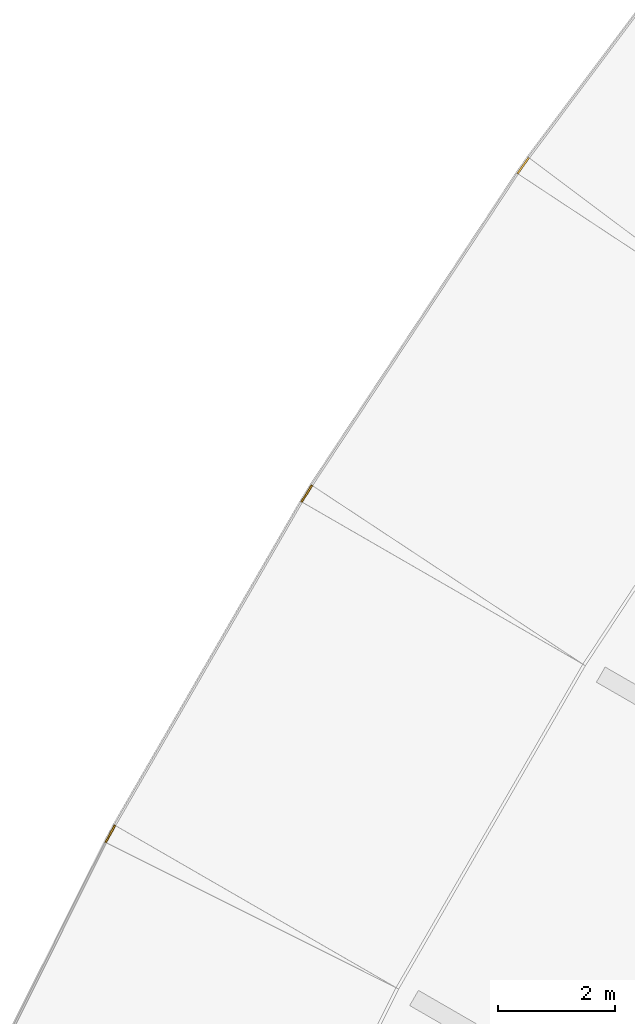
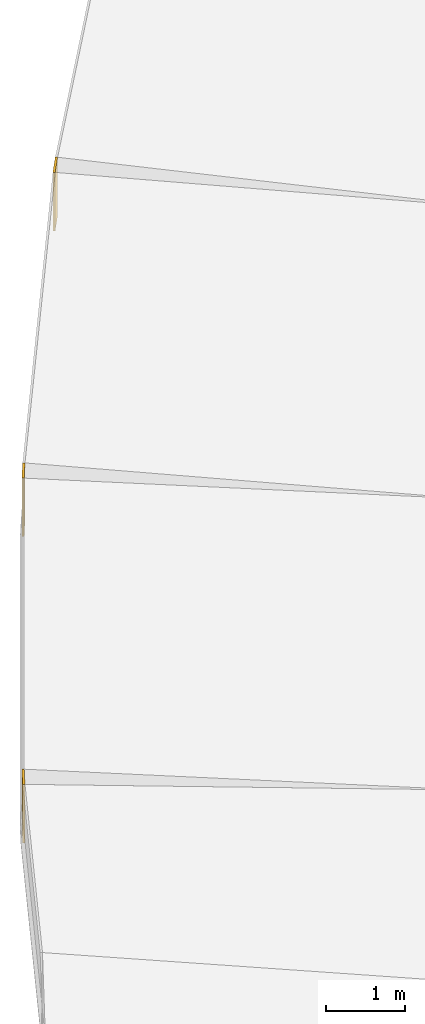
# One storey, part 8 of 9: 3 coverings.
"""IFC4 building model written with IfcOpenShell, lengths in metres."""

from ifc_helpers import new_model, si_unit, direction, frame, origin, origin_2d, place, context, subcontext, project, spatial, rectangle, extrude, material, layer, layer_set, type_object, element, save


model = new_model("IFC4")

# Units and contexts
model_context = context("Model", 3, precision=1e-05, world=origin(), true_north=direction((0.0, 1.0)))
body_context = subcontext(model_context, "Body", "Model", "MODEL_VIEW")
ifc_project = project(units=[si_unit("LENGTHUNIT", "METRE"), si_unit("AREAUNIT", "SQUARE_METRE"), si_unit("VOLUMEUNIT", "CUBIC_METRE"), si_unit("PLANEANGLEUNIT", "RADIAN"), si_unit("MASSUNIT", "GRAM", prefix="KILO")], contexts=[model_context])

# Site, building, storey
site_placement = place(None, origin())
site = spatial("IfcSite", under=ifc_project, at=site_placement, CompositionType="ELEMENT")
building_placement = place(site_placement, origin())
building = spatial("IfcBuilding", under=site, at=building_placement, Name="Mestral Congress Tower", CompositionType="ELEMENT")
storey_placement = place(building_placement, frame((0.0, 0.0, 348.60009765625)))
storey = spatial("IfcBuildingStorey", under=building, at=storey_placement, Name="L81", CompositionType="ELEMENT", Elevation=348.60009765625)

# Coverings
ifc_material = material(Name="Larch timber", Category="wood")
ifc_layer = layer(ifc_material, 0.030029296875)
ifc_layer_set = layer_set([ifc_layer], Name="Larch timber")
covering_type = type_object("IfcCoveringType", Name="Crown canopy timber fascia 30", PredefinedType="CLADDING", material=ifc_layer_set)
covering_placement = place(storey_placement, frame((-15.622314453125, 20.6689453125, 0.320068359375), z_axis=(0.0, 0.0, 1.0), x_axis=(-0.575399296929, -0.81787263623, 0.0)))
element("IfcCovering", 1, at=covering_placement, inside=storey, type_object=covering_type, Name="Canopy fascia 39", PredefinedType="CLADDING", context=body_context, shape_type="SweptSolid", body=[
    extrude(rectangle(XDim=0.334228515625, YDim=0.030029296875, at=origin_2d()), origin(), (0.0, 0.0, 1.0), 0.89990234375),
])
for number, where, z_axis, x_axis, name in (
    (2, (-19.330810546875, 15.048583984375, 0.320068359375), (0.0, 0.0, 1.0), (-0.525606774486, -0.850727640678, 0.0), "Canopy fascia 41"),
    (3, (-22.69775390625, 9.216796875, 0.320068359375), (0.0, 0.0, 1.0), (-0.473945287575, -0.880554293832, 0.0), "Canopy fascia 43"),
):
    element("IfcCovering", number, at=place(storey_placement, frame(where, z_axis=z_axis, x_axis=x_axis)), inside=storey, type_object=covering_type, Name=name, PredefinedType="CLADDING", context=body_context, shape_type="SweptSolid", body=[
        extrude(rectangle(XDim=0.333984375, YDim=0.030029296875, at=origin_2d()), origin(), (0.0, 0.0, 1.0), 0.89990234375),
    ])

save(model, "model.ifc")
